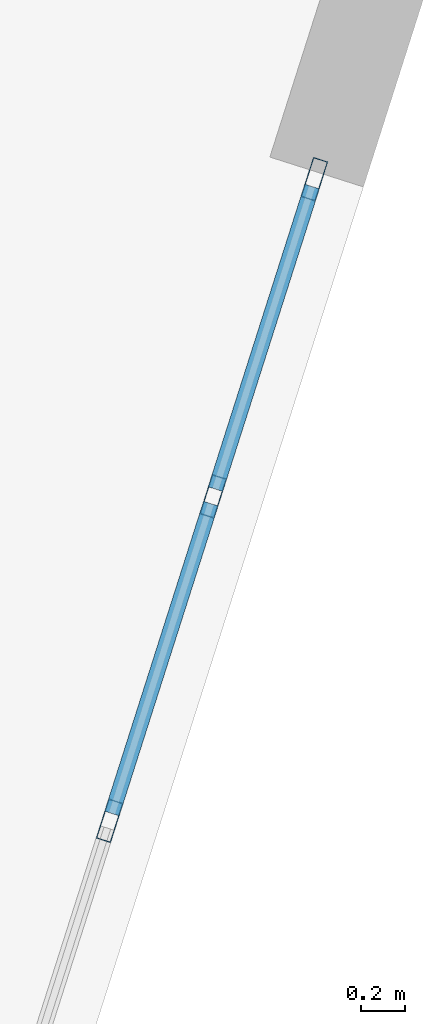
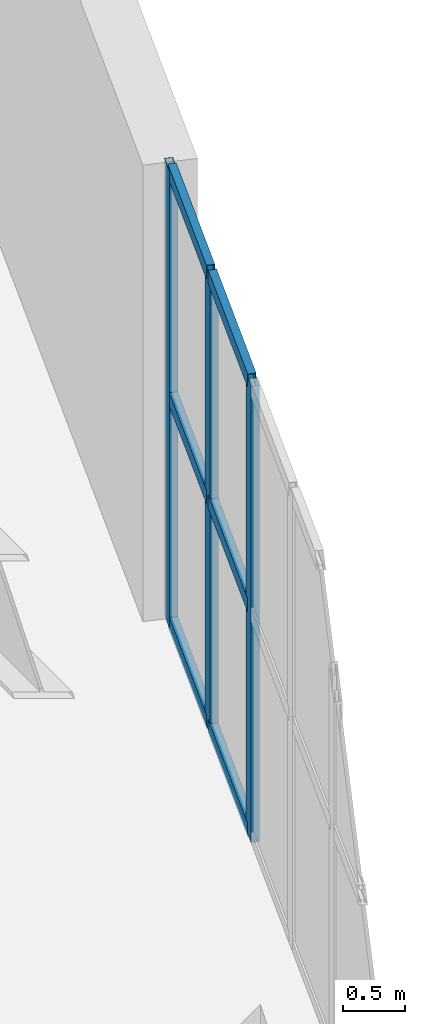
# One storey, part 9 of 15: 9 members, 1 element without a shape of its own.
"""IFC4 building model written with IfcOpenShell, lengths in metres."""

from ifc_helpers import new_model, si_unit, direction, frame, origin, origin_2d, place, context, subcontext, project, spatial, hollow_rectangle, extrude, material, layer, layer_set, material_profile, profile_set, type_object, element, aggregate, save


model = new_model("IFC4")

# Units and contexts
model_context = context("Model", 3, precision=1e-05, world=origin(), true_north=direction((0.0, 1.0)))
body_context = subcontext(model_context, "Body", "Model", "MODEL_VIEW")
ifc_project = project(units=[si_unit("LENGTHUNIT", "METRE"), si_unit("AREAUNIT", "SQUARE_METRE"), si_unit("VOLUMEUNIT", "CUBIC_METRE"), si_unit("PLANEANGLEUNIT", "RADIAN"), si_unit("MASSUNIT", "GRAM", prefix="KILO")], contexts=[model_context])

# Site, building, storey
site_placement = place(None, origin())
site = spatial("IfcSite", under=ifc_project, at=site_placement, CompositionType="ELEMENT")
building_placement = place(site_placement, origin())
building = spatial("IfcBuilding", under=site, at=building_placement, Name="Kilnhurst Terrace Hotel", CompositionType="ELEMENT")
storey_placement = place(building_placement, frame((0.0, 0.0, 23.39990234375)))
storey = spatial("IfcBuildingStorey", under=building, at=storey_placement, Name="L04", CompositionType="ELEMENT", Elevation=23.39990234375)

# Curtain wall, members
ifc_material_1 = material(Name="Anodized Aluminium Alloy 6063-T6 and Low-E Glass", Category="aluminium")
ifc_layer = layer(ifc_material_1, 0.219970703125, Name="Anodized Aluminium Alloy 6063-T6 and Low-E Glass")
ifc_layer_set = layer_set([ifc_layer], Name="Anodized Aluminium Alloy 6063-T6 and Low-E Glass")
curtain_wall_type = type_object("IfcCurtainWallType", Name="CW-POD-TERR", PredefinedType="NOTDEFINED", material=ifc_layer_set)
curtain_wall_placement = place(storey_placement, origin())
curtain_wall = element("IfcCurtainWall", 1, at=curtain_wall_placement, inside=storey, type_object=curtain_wall_type, Name="L04 Curtain Wall CW-L04-F2-1", PredefinedType="NOTDEFINED")
ifc_material_2 = material(Name="Extruded Aluminium Alloy 6063-T6", Category="aluminium")
ifc_material_profile_1 = material_profile(ifc_material_2, hollow_rectangle(XDim=0.070068359375, YDim=0.18994140625, WallThickness=0.00390625, at=origin_2d()), Name="CWM70X190")
ifc_profile_set_1 = profile_set([ifc_material_profile_1], Name="Extruded Aluminium Alloy 6063-T6")
member_type_1 = type_object("IfcMemberType", Name="MEM-CWM70X190", PredefinedType="MULLION", material=ifc_profile_set_1)
member_1_placement = place(storey_placement, frame((24.513427734375, -8.74560546875, 0.0), z_axis=(0.0, 0.0, 1.0), x_axis=(-0.952674620463, 0.303991887271, 0.0)))
member_1 = element("IfcMember", 2, at=member_1_placement, type_object=member_type_1, Name="CWT-2 mullion 7", PredefinedType="MULLION", context=body_context, shape_type="SweptSolid", body=[
    extrude(hollow_rectangle(XDim=0.070068359375, YDim=0.18994140625, WallThickness=0.00390625, at=origin_2d()), origin(), (0.0, 0.0, 1.0), 4.47998046875),
])
member_2_placement = place(storey_placement, frame((24.987548828125, -7.260009765625, 0.0), z_axis=(0.0, 0.0, 1.0), x_axis=(-0.952674620463, 0.303991887271, 0.0)))
member_2 = element("IfcMember", 3, at=member_2_placement, type_object=member_type_1, Name="CWT-2 mullion 8", PredefinedType="MULLION", context=body_context, shape_type="SweptSolid", body=[
    extrude(hollow_rectangle(XDim=0.070068359375, YDim=0.18994140625, WallThickness=0.00390625, at=origin_2d()), origin(), (0.0, 0.0, 1.0), 4.47998046875),
])
member_3_placement = place(storey_placement, frame((25.450927734375, -5.807373046875, 0.0), z_axis=(0.0, 0.0, 1.0), x_axis=(-0.952674620463, 0.303991887271, 0.0)))
member_3 = element("IfcMember", 4, at=member_3_placement, type_object=member_type_1, Name="CWT-2 mullion 9", PredefinedType="MULLION", context=body_context, shape_type="SweptSolid", body=[
    extrude(hollow_rectangle(XDim=0.070068359375, YDim=0.18994140625, WallThickness=0.00390625, at=origin_2d()), origin(), (0.0, 0.0, 1.0), 4.47998046875),
])
ifc_material_profile_2 = material_profile(ifc_material_2, hollow_rectangle(XDim=0.070068359375, YDim=0.135009765625, WallThickness=0.00390625, at=origin_2d()), Name="CWT70X135")
ifc_profile_set_2 = profile_set([ifc_material_profile_2], Name="Extruded Aluminium Alloy 6063-T6")
member_type_2 = type_object("IfcMemberType", Name="MEM-CWT70X135", PredefinedType="USERDEFINED", material=ifc_profile_set_2)
member_4_placement = place(storey_placement, frame((24.52392578125, -8.71240234375, 0.03515625), z_axis=(0.304008527603, 0.952669310488, 0.0), x_axis=(-0.952669310488, 0.304008527603, 0.0)))
member_4 = element("IfcMember", 5, at=member_4_placement, type_object=member_type_2, Name="CWT-2 transom 7.1", ObjectType="TRANSOM", PredefinedType="USERDEFINED", context=body_context, shape_type="SweptSolid", body=[
    extrude(hollow_rectangle(XDim=0.070068359375, YDim=0.135009765625, WallThickness=0.00390625, at=origin_2d()), origin(), (0.0, 0.0, 1.0), 1.48974609375),
])
member_5_placement = place(storey_placement, frame((24.52392578125, -8.71240234375, 2.239990234375), z_axis=(0.304008527603, 0.952669310488, 0.0), x_axis=(-0.952669310488, 0.304008527603, 0.0)))
member_5 = element("IfcMember", 6, at=member_5_placement, type_object=member_type_2, Name="CWT-2 transom 7.2", ObjectType="TRANSOM", PredefinedType="USERDEFINED", context=body_context, shape_type="SweptSolid", body=[
    extrude(hollow_rectangle(XDim=0.070068359375, YDim=0.135009765625, WallThickness=0.00390625, at=origin_2d()), origin(), (0.0, 0.0, 1.0), 1.48974609375),
])
member_6_placement = place(storey_placement, frame((24.52392578125, -8.71240234375, 4.445068359375), z_axis=(0.304008527603, 0.952669310488, 0.0), x_axis=(-0.952669310488, 0.304008527603, 0.0)))
member_6 = element("IfcMember", 7, at=member_6_placement, type_object=member_type_2, Name="CWT-2 transom 7.3", ObjectType="TRANSOM", PredefinedType="USERDEFINED", context=body_context, shape_type="SweptSolid", body=[
    extrude(hollow_rectangle(XDim=0.070068359375, YDim=0.135009765625, WallThickness=0.00390625, at=origin_2d()), origin(), (0.0, 0.0, 1.0), 1.48974609375),
])
member_7_placement = place(storey_placement, frame((24.998046875, -7.2265625, 0.03515625), z_axis=(0.304117953577, 0.952634384385, 0.0), x_axis=(-0.952634384385, 0.304117953577, 0.0)))
member_7 = element("IfcMember", 8, at=member_7_placement, type_object=member_type_2, Name="CWT-2 transom 8.1", ObjectType="TRANSOM", PredefinedType="USERDEFINED", context=body_context, shape_type="SweptSolid", body=[
    extrude(hollow_rectangle(XDim=0.070068359375, YDim=0.135009765625, WallThickness=0.00390625, at=origin_2d()), origin(), (0.0, 0.0, 1.0), 1.45458984375),
])
member_8_placement = place(storey_placement, frame((24.998046875, -7.2265625, 2.239990234375), z_axis=(0.304117953577, 0.952634384385, 0.0), x_axis=(-0.952634384385, 0.304117953577, 0.0)))
member_8 = element("IfcMember", 9, at=member_8_placement, type_object=member_type_2, Name="CWT-2 transom 8.2", ObjectType="TRANSOM", PredefinedType="USERDEFINED", context=body_context, shape_type="SweptSolid", body=[
    extrude(hollow_rectangle(XDim=0.070068359375, YDim=0.135009765625, WallThickness=0.00390625, at=origin_2d()), origin(), (0.0, 0.0, 1.0), 1.45458984375),
])
member_9_placement = place(storey_placement, frame((24.998046875, -7.2265625, 4.445068359375), z_axis=(0.304117953577, 0.952634384385, 0.0), x_axis=(-0.952634384385, 0.304117953577, 0.0)))
member_9 = element("IfcMember", 10, at=member_9_placement, type_object=member_type_2, Name="CWT-2 transom 8.3", ObjectType="TRANSOM", PredefinedType="USERDEFINED", context=body_context, shape_type="SweptSolid", body=[
    extrude(hollow_rectangle(XDim=0.070068359375, YDim=0.135009765625, WallThickness=0.00390625, at=origin_2d()), origin(), (0.0, 0.0, 1.0), 1.45458984375),
])
aggregate(curtain_wall, [member_1, member_2, member_3, member_4, member_5, member_6, member_7, member_8, member_9])

save(model, "model.ifc")
